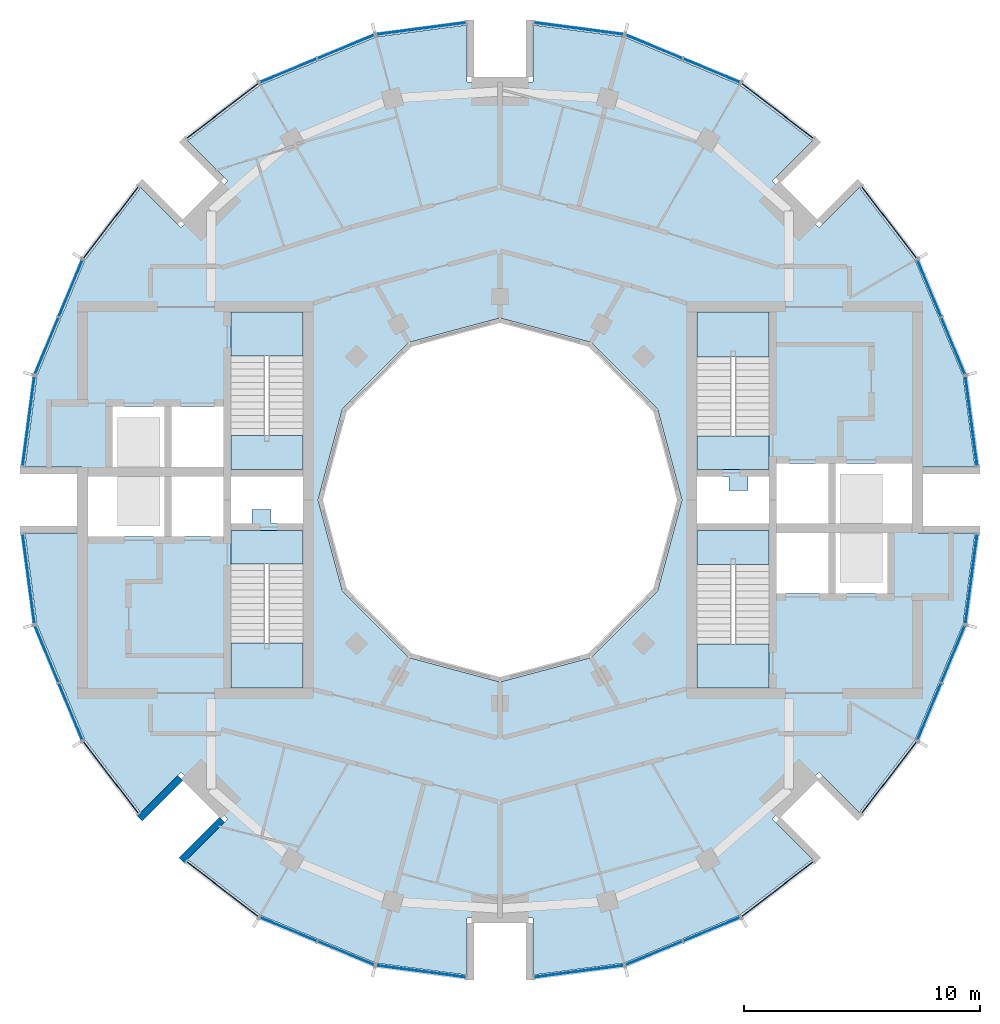
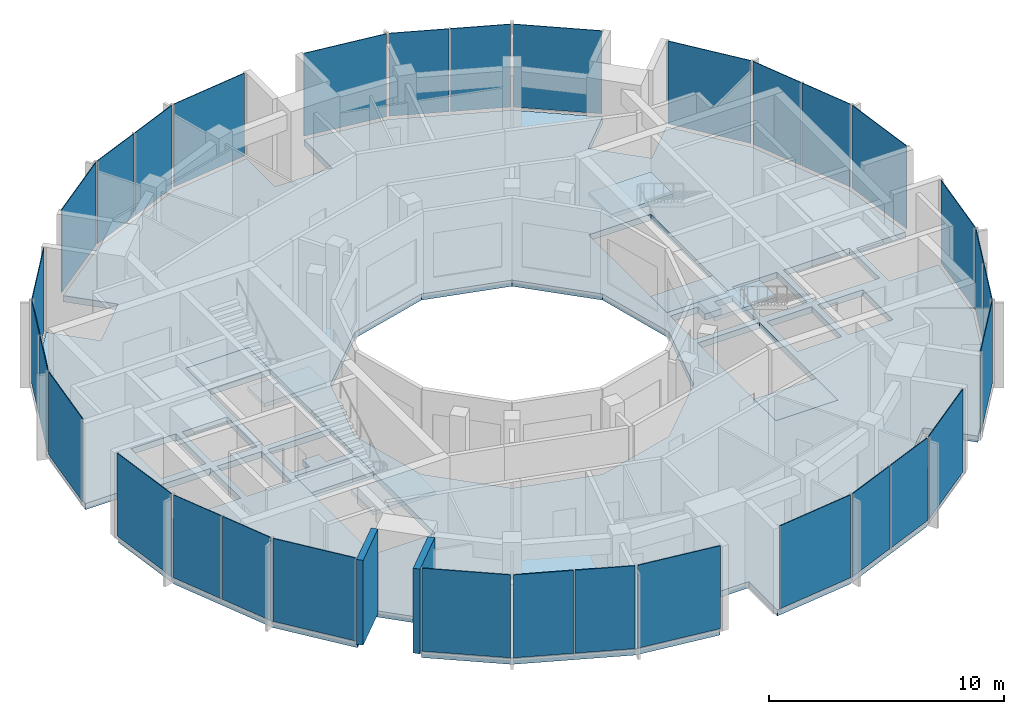
# One storey, part 6 of 13: 32 plates, 9 slabs, 2 walls, 28 elements without a shape of their own.
"""IFC4 building model written with IfcOpenShell, lengths in metres."""

from ifc_helpers import new_model, si_unit, direction, frame, frame_2d, origin, origin_2d, place, context, subcontext, project, spatial, polyline, rectangle, outline, extrude, material, layer, layer_set, type_object, element, aggregate, save


model = new_model("IFC4")

# Units and contexts
model_context = context("Model", 3, precision=1e-05, world=origin(), true_north=direction((0.0, 1.0)))
body_context = subcontext(model_context, "Body", "Model", "MODEL_VIEW")
ifc_project = project(units=[si_unit("LENGTHUNIT", "METRE"), si_unit("AREAUNIT", "SQUARE_METRE"), si_unit("VOLUMEUNIT", "CUBIC_METRE"), si_unit("PLANEANGLEUNIT", "RADIAN"), si_unit("MASSUNIT", "GRAM", prefix="KILO")], contexts=[model_context])

# Site, building, storey
site_placement = place(None, origin())
site = spatial("IfcSite", under=ifc_project, at=site_placement, CompositionType="ELEMENT")
building_placement = place(site_placement, origin())
building = spatial("IfcBuilding", under=site, at=building_placement, Name="Torre Brocal", CompositionType="ELEMENT")
storey_placement = place(building_placement, frame((0.0, 0.0, 319.300048828125)))
storey = spatial("IfcBuildingStorey", under=building, at=storey_placement, Name="L73", CompositionType="ELEMENT", Elevation=319.300048828125)

# Curtain wall, plate
ifc_material_1 = material(Name="Aluminium and glass", Category="aluminium")
ifc_layer_1 = layer(ifc_material_1, 0.199951171875)
ifc_layer_set_1 = layer_set([ifc_layer_1], Name="Aluminium and glass")
curtain_wall_type = type_object("IfcCurtainWallType", Name="CW-5 CURTAIN WALL 4400 HIGH", PredefinedType="NOTDEFINED", material=ifc_layer_set_1)
curtain_wall_1_placement = place(storey_placement, origin())
curtain_wall_1 = element("IfcCurtainWall", 1, at=curtain_wall_1_placement, inside=storey, type_object=curtain_wall_type, Name="CW-5 RUN 1", PredefinedType="NOTDEFINED")
ifc_material_2 = material(Name="Glass, dark tinted laminated", Category="glass")
ifc_layer_2 = layer(ifc_material_2, 0.035888671875)
ifc_layer_set_2 = layer_set([ifc_layer_2], Name="Glass, dark tinted laminated")
plate_type = type_object("IfcPlateType", Name="CW-5 GLASS PANEL 36", PredefinedType="CURTAIN_PANEL", material=ifc_layer_set_2)
plate_1_placement = place(storey_placement, frame((99.95947265625, 78.33984375, 0.10009765625), z_axis=(0.0, 0.0, 1.0), x_axis=(-0.130526192064, 0.991444861394, 0.0)))
plate_1 = element("IfcPlate", 2, at=plate_1_placement, type_object=plate_type, Name="CW5-1 panel 1.1", PredefinedType="CURTAIN_PANEL", context=body_context, shape_type="SweptSolid", body=[
    extrude(rectangle(XDim=3.793212890625, YDim=0.035888671875, at=origin_2d()), origin(), (0.0, 0.0, 1.0), 4.300048828125),
])
aggregate(curtain_wall_1, [plate_1])

# Curtain wall, plates
curtain_wall_2_placement = place(storey_placement, origin())
curtain_wall_2 = element("IfcCurtainWall", 3, at=curtain_wall_2_placement, inside=storey, type_object=curtain_wall_type, Name="CW-5 RUN 2", PredefinedType="NOTDEFINED")
plate_2_placement = place(storey_placement, frame((99.188720703125, 81.5234375, 0.10009765625), z_axis=(0.0, 0.0, 1.0), x_axis=(-0.382683432446, 0.923879532478, 0.0)))
plate_2 = element("IfcPlate", 4, at=plate_2_placement, type_object=plate_type, Name="CW5-1 panel 1.1", PredefinedType="CURTAIN_PANEL", context=body_context, shape_type="SweptSolid", body=[
    extrude(rectangle(XDim=2.572509765625, YDim=0.035888671875, at=origin_2d()), origin(), (0.0, 0.0, 1.0), 4.300048828125),
])
plate_3_placement = place(storey_placement, frame((98.181396484375, 83.955810546875, 0.10009765625), z_axis=(0.0, 0.0, 1.0), x_axis=(-0.382683432446, 0.923879532478, 0.0)))
plate_3 = element("IfcPlate", 5, at=plate_3_placement, type_object=plate_type, Name="CW5-1 panel 2.1", PredefinedType="CURTAIN_PANEL", context=body_context, shape_type="SweptSolid", body=[
    extrude(rectangle(XDim=2.572509765625, YDim=0.035888671875, at=origin_2d()), origin(), (0.0, 0.0, 1.0), 4.300048828125),
])
aggregate(curtain_wall_2, [plate_2, plate_3])

# Curtain wall, plate
curtain_wall_3_placement = place(storey_placement, origin())
curtain_wall_3 = element("IfcCurtainWall", 6, at=curtain_wall_3_placement, inside=storey, type_object=curtain_wall_type, Name="CW-5 RUN 3", PredefinedType="NOTDEFINED")
plate_4_placement = place(storey_placement, frame((96.47509765625, 86.751708984375, 0.10009765625), z_axis=(0.0, 0.0, 1.0), x_axis=(-0.608761428898, 0.793353340376, 0.0)))
plate_4 = element("IfcPlate", 7, at=plate_4_placement, type_object=plate_type, Name="CW5-1 panel 1.1", PredefinedType="CURTAIN_PANEL", context=body_context, shape_type="SweptSolid", body=[
    extrude(rectangle(XDim=3.793212890625, YDim=0.035888671875, at=origin_2d()), origin(), (0.0, 0.0, 1.0), 4.300048828125),
])
aggregate(curtain_wall_3, [plate_4])

curtain_wall_4_placement = place(storey_placement, origin())
curtain_wall_4 = element("IfcCurtainWall", 8, at=curtain_wall_4_placement, inside=storey, type_object=curtain_wall_type, Name="CW-5 RUN 4", PredefinedType="NOTDEFINED")
plate_5_placement = place(storey_placement, frame((91.751708984375, 91.47509765625, 0.10009765625), z_axis=(0.0, 0.0, 1.0), x_axis=(-0.793353340376, 0.608761428898, 0.0)))
plate_5 = element("IfcPlate", 9, at=plate_5_placement, type_object=plate_type, Name="CW5-1 panel 1.1", PredefinedType="CURTAIN_PANEL", context=body_context, shape_type="SweptSolid", body=[
    extrude(rectangle(XDim=3.793212890625, YDim=0.035888671875, at=origin_2d()), origin(), (0.0, 0.0, 1.0), 4.300048828125),
])
aggregate(curtain_wall_4, [plate_5])

# Curtain wall, plates
curtain_wall_5_placement = place(storey_placement, origin())
curtain_wall_5 = element("IfcCurtainWall", 10, at=curtain_wall_5_placement, inside=storey, type_object=curtain_wall_type, Name="CW-5 RUN 5", PredefinedType="NOTDEFINED")
plate_6_placement = place(storey_placement, frame((88.955810546875, 93.181396484375, 0.10009765625), z_axis=(0.0, 0.0, 1.0), x_axis=(-0.923879532478, 0.382683432446, 0.0)))
plate_6 = element("IfcPlate", 11, at=plate_6_placement, type_object=plate_type, Name="CW5-1 panel 1.1", PredefinedType="CURTAIN_PANEL", context=body_context, shape_type="SweptSolid", body=[
    extrude(rectangle(XDim=2.572509765625, YDim=0.035888671875, at=origin_2d()), origin(), (0.0, 0.0, 1.0), 4.300048828125),
])
plate_7_placement = place(storey_placement, frame((86.5234375, 94.188720703125, 0.10009765625), z_axis=(0.0, 0.0, 1.0), x_axis=(-0.923879532478, 0.382683432446, 0.0)))
plate_7 = element("IfcPlate", 12, at=plate_7_placement, type_object=plate_type, Name="CW5-1 panel 2.1", PredefinedType="CURTAIN_PANEL", context=body_context, shape_type="SweptSolid", body=[
    extrude(rectangle(XDim=2.572509765625, YDim=0.035888671875, at=origin_2d()), origin(), (0.0, 0.0, 1.0), 4.300048828125),
])
aggregate(curtain_wall_5, [plate_6, plate_7])

# Curtain wall, plate
curtain_wall_6_placement = place(storey_placement, origin())
curtain_wall_6 = element("IfcCurtainWall", 13, at=curtain_wall_6_placement, inside=storey, type_object=curtain_wall_type, Name="CW-5 RUN 6", PredefinedType="NOTDEFINED")
plate_8_placement = place(storey_placement, frame((83.33984375, 94.95947265625, 0.10009765625), z_axis=(0.0, 0.0, 1.0), x_axis=(-0.991444861394, 0.130526192064, 0.0)))
plate_8 = element("IfcPlate", 14, at=plate_8_placement, type_object=plate_type, Name="CW5-1 panel 1.1", PredefinedType="CURTAIN_PANEL", context=body_context, shape_type="SweptSolid", body=[
    extrude(rectangle(XDim=3.793212890625, YDim=0.035888671875, at=origin_2d()), origin(), (0.0, 0.0, 1.0), 4.300048828125),
])
aggregate(curtain_wall_6, [plate_8])

curtain_wall_7_placement = place(storey_placement, origin())
curtain_wall_7 = element("IfcCurtainWall", 15, at=curtain_wall_7_placement, inside=storey, type_object=curtain_wall_type, Name="CW-5 RUN 7", PredefinedType="NOTDEFINED")
plate_9_placement = place(storey_placement, frame((76.66015625, 94.95947265625, 0.10009765625), z_axis=(0.0, 0.0, 1.0), x_axis=(-0.991444861394, -0.130526192064, 0.0)))
plate_9 = element("IfcPlate", 16, at=plate_9_placement, type_object=plate_type, Name="CW5-1 panel 1.1", PredefinedType="CURTAIN_PANEL", context=body_context, shape_type="SweptSolid", body=[
    extrude(rectangle(XDim=3.793212890625, YDim=0.035888671875, at=origin_2d()), origin(), (0.0, 0.0, 1.0), 4.300048828125),
])
aggregate(curtain_wall_7, [plate_9])

# Curtain wall, plates
curtain_wall_8_placement = place(storey_placement, origin())
curtain_wall_8 = element("IfcCurtainWall", 17, at=curtain_wall_8_placement, inside=storey, type_object=curtain_wall_type, Name="CW-5 RUN 8", PredefinedType="NOTDEFINED")
plate_10_placement = place(storey_placement, frame((73.4765625, 94.188720703125, 0.10009765625), z_axis=(0.0, 0.0, 1.0), x_axis=(-0.923879532478, -0.382683432446, 0.0)))
plate_10 = element("IfcPlate", 18, at=plate_10_placement, type_object=plate_type, Name="CW5-1 panel 1.1", PredefinedType="CURTAIN_PANEL", context=body_context, shape_type="SweptSolid", body=[
    extrude(rectangle(XDim=2.572509765625, YDim=0.035888671875, at=origin_2d()), origin(), (0.0, 0.0, 1.0), 4.300048828125),
])
plate_11_placement = place(storey_placement, frame((71.044189453125, 93.181396484375, 0.10009765625), z_axis=(0.0, 0.0, 1.0), x_axis=(-0.923879532478, -0.382683432446, 0.0)))
plate_11 = element("IfcPlate", 19, at=plate_11_placement, type_object=plate_type, Name="CW5-1 panel 2.1", PredefinedType="CURTAIN_PANEL", context=body_context, shape_type="SweptSolid", body=[
    extrude(rectangle(XDim=2.572509765625, YDim=0.035888671875, at=origin_2d()), origin(), (0.0, 0.0, 1.0), 4.300048828125),
])
aggregate(curtain_wall_8, [plate_10, plate_11])

# Curtain wall, plate
curtain_wall_9_placement = place(storey_placement, origin())
curtain_wall_9 = element("IfcCurtainWall", 20, at=curtain_wall_9_placement, inside=storey, type_object=curtain_wall_type, Name="CW-5 RUN 9", PredefinedType="NOTDEFINED")
plate_12_placement = place(storey_placement, frame((68.248291015625, 91.47509765625, 0.10009765625), z_axis=(0.0, 0.0, 1.0), x_axis=(-0.793353340376, -0.608761428898, 0.0)))
plate_12 = element("IfcPlate", 21, at=plate_12_placement, type_object=plate_type, Name="CW5-1 panel 1.1", PredefinedType="CURTAIN_PANEL", context=body_context, shape_type="SweptSolid", body=[
    extrude(rectangle(XDim=3.793212890625, YDim=0.035888671875, at=origin_2d()), origin(), (0.0, 0.0, 1.0), 4.300048828125),
])
aggregate(curtain_wall_9, [plate_12])

curtain_wall_10_placement = place(storey_placement, origin())
curtain_wall_10 = element("IfcCurtainWall", 22, at=curtain_wall_10_placement, inside=storey, type_object=curtain_wall_type, Name="CW-5 RUN 10", PredefinedType="NOTDEFINED")
plate_13_placement = place(storey_placement, frame((63.52490234375, 86.751708984375, 0.10009765625), z_axis=(0.0, 0.0, 1.0), x_axis=(-0.608761428898, -0.793353340376, 0.0)))
plate_13 = element("IfcPlate", 23, at=plate_13_placement, type_object=plate_type, Name="CW5-1 panel 1.1", PredefinedType="CURTAIN_PANEL", context=body_context, shape_type="SweptSolid", body=[
    extrude(rectangle(XDim=3.793212890625, YDim=0.035888671875, at=origin_2d()), origin(), (0.0, 0.0, 1.0), 4.300048828125),
])
aggregate(curtain_wall_10, [plate_13])

# Curtain wall, plates
curtain_wall_11_placement = place(storey_placement, origin())
curtain_wall_11 = element("IfcCurtainWall", 24, at=curtain_wall_11_placement, inside=storey, type_object=curtain_wall_type, Name="CW-5 RUN 11", PredefinedType="NOTDEFINED")
plate_14_placement = place(storey_placement, frame((61.818603515625, 83.955810546875, 0.10009765625), z_axis=(0.0, 0.0, 1.0), x_axis=(-0.382683432446, -0.923879532478, 0.0)))
plate_14 = element("IfcPlate", 25, at=plate_14_placement, type_object=plate_type, Name="CW5-1 panel 1.1", PredefinedType="CURTAIN_PANEL", context=body_context, shape_type="SweptSolid", body=[
    extrude(rectangle(XDim=2.572509765625, YDim=0.035888671875, at=origin_2d()), origin(), (0.0, 0.0, 1.0), 4.300048828125),
])
plate_15_placement = place(storey_placement, frame((60.811279296875, 81.5234375, 0.10009765625), z_axis=(0.0, 0.0, 1.0), x_axis=(-0.382683432446, -0.923879532478, 0.0)))
plate_15 = element("IfcPlate", 26, at=plate_15_placement, type_object=plate_type, Name="CW5-1 panel 2.1", PredefinedType="CURTAIN_PANEL", context=body_context, shape_type="SweptSolid", body=[
    extrude(rectangle(XDim=2.572509765625, YDim=0.035888671875, at=origin_2d()), origin(), (0.0, 0.0, 1.0), 4.300048828125),
])
aggregate(curtain_wall_11, [plate_14, plate_15])

# Curtain wall, plate
curtain_wall_12_placement = place(storey_placement, origin())
curtain_wall_12 = element("IfcCurtainWall", 27, at=curtain_wall_12_placement, inside=storey, type_object=curtain_wall_type, Name="CW-5 RUN 12", PredefinedType="NOTDEFINED")
plate_16_placement = place(storey_placement, frame((60.04052734375, 78.33984375, 0.10009765625), z_axis=(0.0, 0.0, 1.0), x_axis=(-0.130526192064, -0.991444861394, 0.0)))
plate_16 = element("IfcPlate", 28, at=plate_16_placement, type_object=plate_type, Name="CW5-1 panel 1.1", PredefinedType="CURTAIN_PANEL", context=body_context, shape_type="SweptSolid", body=[
    extrude(rectangle(XDim=3.793212890625, YDim=0.035888671875, at=origin_2d()), origin(), (0.0, 0.0, 1.0), 4.300048828125),
])
aggregate(curtain_wall_12, [plate_16])

curtain_wall_13_placement = place(storey_placement, origin())
curtain_wall_13 = element("IfcCurtainWall", 29, at=curtain_wall_13_placement, inside=storey, type_object=curtain_wall_type, Name="CW-5 RUN 13", PredefinedType="NOTDEFINED")
plate_17_placement = place(storey_placement, frame((60.04052734375, 71.66015625, 0.10009765625), z_axis=(0.0, 0.0, 1.0), x_axis=(0.130526192064, -0.991444861394, 0.0)))
plate_17 = element("IfcPlate", 30, at=plate_17_placement, type_object=plate_type, Name="CW5-1 panel 1.1", PredefinedType="CURTAIN_PANEL", context=body_context, shape_type="SweptSolid", body=[
    extrude(rectangle(XDim=3.793212890625, YDim=0.035888671875, at=origin_2d()), origin(), (0.0, 0.0, 1.0), 4.300048828125),
])
aggregate(curtain_wall_13, [plate_17])

# Curtain wall, plates
curtain_wall_14_placement = place(storey_placement, origin())
curtain_wall_14 = element("IfcCurtainWall", 31, at=curtain_wall_14_placement, inside=storey, type_object=curtain_wall_type, Name="CW-5 RUN 14", PredefinedType="NOTDEFINED")
plate_18_placement = place(storey_placement, frame((60.811279296875, 68.4765625, 0.10009765625), z_axis=(0.0, 0.0, 1.0), x_axis=(0.382683432446, -0.923879532478, 0.0)))
plate_18 = element("IfcPlate", 32, at=plate_18_placement, type_object=plate_type, Name="CW5-1 panel 1.1", PredefinedType="CURTAIN_PANEL", context=body_context, shape_type="SweptSolid", body=[
    extrude(rectangle(XDim=2.572509765625, YDim=0.035888671875, at=origin_2d()), origin(), (0.0, 0.0, 1.0), 4.300048828125),
])
plate_19_placement = place(storey_placement, frame((61.818603515625, 66.044189453125, 0.10009765625), z_axis=(0.0, 0.0, 1.0), x_axis=(0.382683432446, -0.923879532478, 0.0)))
plate_19 = element("IfcPlate", 33, at=plate_19_placement, type_object=plate_type, Name="CW5-1 panel 2.1", PredefinedType="CURTAIN_PANEL", context=body_context, shape_type="SweptSolid", body=[
    extrude(rectangle(XDim=2.572509765625, YDim=0.035888671875, at=origin_2d()), origin(), (0.0, 0.0, 1.0), 4.300048828125),
])
aggregate(curtain_wall_14, [plate_18, plate_19])

# Curtain wall, plate
curtain_wall_15_placement = place(storey_placement, origin())
curtain_wall_15 = element("IfcCurtainWall", 34, at=curtain_wall_15_placement, inside=storey, type_object=curtain_wall_type, Name="CW-5 RUN 15", PredefinedType="NOTDEFINED")
plate_20_placement = place(storey_placement, frame((63.52490234375, 63.248291015625, 0.10009765625), z_axis=(0.0, 0.0, 1.0), x_axis=(0.608761428898, -0.793353340376, 0.0)))
plate_20 = element("IfcPlate", 35, at=plate_20_placement, type_object=plate_type, Name="CW5-1 panel 1.1", PredefinedType="CURTAIN_PANEL", context=body_context, shape_type="SweptSolid", body=[
    extrude(rectangle(XDim=3.793212890625, YDim=0.035888671875, at=origin_2d()), origin(), (0.0, 0.0, 1.0), 4.300048828125),
])
aggregate(curtain_wall_15, [plate_20])

curtain_wall_16_placement = place(storey_placement, origin())
curtain_wall_16 = element("IfcCurtainWall", 36, at=curtain_wall_16_placement, inside=storey, type_object=curtain_wall_type, Name="CW-5 RUN 16", PredefinedType="NOTDEFINED")
plate_21_placement = place(storey_placement, frame((68.248291015625, 58.52490234375, 0.10009765625), z_axis=(0.0, 0.0, 1.0), x_axis=(0.793353340376, -0.608761428898, 0.0)))
plate_21 = element("IfcPlate", 37, at=plate_21_placement, type_object=plate_type, Name="CW5-1 panel 1.1", PredefinedType="CURTAIN_PANEL", context=body_context, shape_type="SweptSolid", body=[
    extrude(rectangle(XDim=3.793212890625, YDim=0.035888671875, at=origin_2d()), origin(), (0.0, 0.0, 1.0), 4.300048828125),
])
aggregate(curtain_wall_16, [plate_21])

# Curtain wall, plates
curtain_wall_17_placement = place(storey_placement, origin())
curtain_wall_17 = element("IfcCurtainWall", 38, at=curtain_wall_17_placement, inside=storey, type_object=curtain_wall_type, Name="CW-5 RUN 17", PredefinedType="NOTDEFINED")
plate_22_placement = place(storey_placement, frame((71.044189453125, 56.818603515625, 0.10009765625), z_axis=(0.0, 0.0, 1.0), x_axis=(0.923879532478, -0.382683432446, 0.0)))
plate_22 = element("IfcPlate", 39, at=plate_22_placement, type_object=plate_type, Name="CW5-1 panel 1.1", PredefinedType="CURTAIN_PANEL", context=body_context, shape_type="SweptSolid", body=[
    extrude(rectangle(XDim=2.572509765625, YDim=0.035888671875, at=origin_2d()), origin(), (0.0, 0.0, 1.0), 4.300048828125),
])
plate_23_placement = place(storey_placement, frame((73.4765625, 55.811279296875, 0.10009765625), z_axis=(0.0, 0.0, 1.0), x_axis=(0.923879532478, -0.382683432446, 0.0)))
plate_23 = element("IfcPlate", 40, at=plate_23_placement, type_object=plate_type, Name="CW5-1 panel 2.1", PredefinedType="CURTAIN_PANEL", context=body_context, shape_type="SweptSolid", body=[
    extrude(rectangle(XDim=2.572509765625, YDim=0.035888671875, at=origin_2d()), origin(), (0.0, 0.0, 1.0), 4.300048828125),
])
aggregate(curtain_wall_17, [plate_22, plate_23])

# Curtain wall, plate
curtain_wall_18_placement = place(storey_placement, origin())
curtain_wall_18 = element("IfcCurtainWall", 41, at=curtain_wall_18_placement, inside=storey, type_object=curtain_wall_type, Name="CW-5 RUN 18", PredefinedType="NOTDEFINED")
plate_24_placement = place(storey_placement, frame((76.66015625, 55.04052734375, 0.10009765625), z_axis=(0.0, 0.0, 1.0), x_axis=(0.991444861394, -0.130526192064, 0.0)))
plate_24 = element("IfcPlate", 42, at=plate_24_placement, type_object=plate_type, Name="CW5-1 panel 1.1", PredefinedType="CURTAIN_PANEL", context=body_context, shape_type="SweptSolid", body=[
    extrude(rectangle(XDim=3.793212890625, YDim=0.035888671875, at=origin_2d()), origin(), (0.0, 0.0, 1.0), 4.300048828125),
])
aggregate(curtain_wall_18, [plate_24])

curtain_wall_19_placement = place(storey_placement, origin())
curtain_wall_19 = element("IfcCurtainWall", 43, at=curtain_wall_19_placement, inside=storey, type_object=curtain_wall_type, Name="CW-5 RUN 19", PredefinedType="NOTDEFINED")
plate_25_placement = place(storey_placement, frame((83.33984375, 55.04052734375, 0.10009765625), z_axis=(0.0, 0.0, 1.0), x_axis=(0.991444861394, 0.130526192064, 0.0)))
plate_25 = element("IfcPlate", 44, at=plate_25_placement, type_object=plate_type, Name="CW5-1 panel 1.1", PredefinedType="CURTAIN_PANEL", context=body_context, shape_type="SweptSolid", body=[
    extrude(rectangle(XDim=3.793212890625, YDim=0.035888671875, at=origin_2d()), origin(), (0.0, 0.0, 1.0), 4.300048828125),
])
aggregate(curtain_wall_19, [plate_25])

# Curtain wall, plates
curtain_wall_20_placement = place(storey_placement, origin())
curtain_wall_20 = element("IfcCurtainWall", 45, at=curtain_wall_20_placement, inside=storey, type_object=curtain_wall_type, Name="CW-5 RUN 20", PredefinedType="NOTDEFINED")
plate_26_placement = place(storey_placement, frame((86.5234375, 55.811279296875, 0.10009765625), z_axis=(0.0, 0.0, 1.0), x_axis=(0.923879532478, 0.382683432446, 0.0)))
plate_26 = element("IfcPlate", 46, at=plate_26_placement, type_object=plate_type, Name="CW5-1 panel 1.1", PredefinedType="CURTAIN_PANEL", context=body_context, shape_type="SweptSolid", body=[
    extrude(rectangle(XDim=2.572509765625, YDim=0.035888671875, at=origin_2d()), origin(), (0.0, 0.0, 1.0), 4.300048828125),
])
plate_27_placement = place(storey_placement, frame((88.955810546875, 56.818603515625, 0.10009765625), z_axis=(0.0, 0.0, 1.0), x_axis=(0.923879532478, 0.382683432446, 0.0)))
plate_27 = element("IfcPlate", 47, at=plate_27_placement, type_object=plate_type, Name="CW5-1 panel 2.1", PredefinedType="CURTAIN_PANEL", context=body_context, shape_type="SweptSolid", body=[
    extrude(rectangle(XDim=2.572509765625, YDim=0.035888671875, at=origin_2d()), origin(), (0.0, 0.0, 1.0), 4.300048828125),
])
aggregate(curtain_wall_20, [plate_26, plate_27])

# Curtain wall, plate
curtain_wall_21_placement = place(storey_placement, origin())
curtain_wall_21 = element("IfcCurtainWall", 48, at=curtain_wall_21_placement, inside=storey, type_object=curtain_wall_type, Name="CW-5 RUN 21", PredefinedType="NOTDEFINED")
plate_28_placement = place(storey_placement, frame((91.751708984375, 58.52490234375, 0.10009765625), z_axis=(0.0, 0.0, 1.0), x_axis=(0.793353340376, 0.608761428898, 0.0)))
plate_28 = element("IfcPlate", 49, at=plate_28_placement, type_object=plate_type, Name="CW5-1 panel 1.1", PredefinedType="CURTAIN_PANEL", context=body_context, shape_type="SweptSolid", body=[
    extrude(rectangle(XDim=3.793212890625, YDim=0.035888671875, at=origin_2d()), origin(), (0.0, 0.0, 1.0), 4.300048828125),
])
aggregate(curtain_wall_21, [plate_28])

curtain_wall_22_placement = place(storey_placement, origin())
curtain_wall_22 = element("IfcCurtainWall", 50, at=curtain_wall_22_placement, inside=storey, type_object=curtain_wall_type, Name="CW-5 RUN 22", PredefinedType="NOTDEFINED")
plate_29_placement = place(storey_placement, frame((96.47509765625, 63.248291015625, 0.10009765625), z_axis=(0.0, 0.0, 1.0), x_axis=(0.608761428898, 0.793353340376, 0.0)))
plate_29 = element("IfcPlate", 51, at=plate_29_placement, type_object=plate_type, Name="CW5-1 panel 1.1", PredefinedType="CURTAIN_PANEL", context=body_context, shape_type="SweptSolid", body=[
    extrude(rectangle(XDim=3.793212890625, YDim=0.035888671875, at=origin_2d()), origin(), (0.0, 0.0, 1.0), 4.300048828125),
])
aggregate(curtain_wall_22, [plate_29])

# Curtain wall, plates
curtain_wall_23_placement = place(storey_placement, origin())
curtain_wall_23 = element("IfcCurtainWall", 52, at=curtain_wall_23_placement, inside=storey, type_object=curtain_wall_type, Name="CW-5 RUN 23", PredefinedType="NOTDEFINED")
plate_30_placement = place(storey_placement, frame((98.181396484375, 66.044189453125, 0.10009765625), z_axis=(0.0, 0.0, 1.0), x_axis=(0.382683432446, 0.923879532478, 0.0)))
plate_30 = element("IfcPlate", 53, at=plate_30_placement, type_object=plate_type, Name="CW5-1 panel 1.1", PredefinedType="CURTAIN_PANEL", context=body_context, shape_type="SweptSolid", body=[
    extrude(rectangle(XDim=2.572509765625, YDim=0.035888671875, at=origin_2d()), origin(), (0.0, 0.0, 1.0), 4.300048828125),
])
plate_31_placement = place(storey_placement, frame((99.188720703125, 68.4765625, 0.10009765625), z_axis=(0.0, 0.0, 1.0), x_axis=(0.382683432446, 0.923879532478, 0.0)))
plate_31 = element("IfcPlate", 54, at=plate_31_placement, type_object=plate_type, Name="CW5-1 panel 2.1", PredefinedType="CURTAIN_PANEL", context=body_context, shape_type="SweptSolid", body=[
    extrude(rectangle(XDim=2.572509765625, YDim=0.035888671875, at=origin_2d()), origin(), (0.0, 0.0, 1.0), 4.300048828125),
])
aggregate(curtain_wall_23, [plate_30, plate_31])

# Curtain wall, plate
curtain_wall_24_placement = place(storey_placement, origin())
curtain_wall_24 = element("IfcCurtainWall", 55, at=curtain_wall_24_placement, inside=storey, type_object=curtain_wall_type, Name="CW-5 RUN 24", PredefinedType="NOTDEFINED")
plate_32_placement = place(storey_placement, frame((99.95947265625, 71.66015625, 0.10009765625), z_axis=(0.0, 0.0, 1.0), x_axis=(0.130526192064, 0.991444861394, 0.0)))
plate_32 = element("IfcPlate", 56, at=plate_32_placement, type_object=plate_type, Name="CW5-1 panel 1.1", PredefinedType="CURTAIN_PANEL", context=body_context, shape_type="SweptSolid", body=[
    extrude(rectangle(XDim=3.793212890625, YDim=0.035888671875, at=origin_2d()), origin(), (0.0, 0.0, 1.0), 4.300048828125),
])
aggregate(curtain_wall_24, [plate_32])

# Stair, slab
ifc_material_3 = material(Name="Concrete C50", Category="concrete")
stair_type = type_object("IfcStairType", Name="EXIT STAIR", PredefinedType="HALF_TURN_STAIR", material=ifc_material_3)
stair_1_placement = place(storey_placement, origin())
stair_1 = element("IfcStair", 57, at=stair_1_placement, inside=storey, type_object=stair_type, Name="EXIT STAIR ST1", PredefinedType="HALF_TURN_STAIR")
ifc_material_4 = material(Name="Concrete C50", Category="concrete")
ifc_layer_3 = layer(ifc_material_4, 0.320068359375)
ifc_layer_set_3 = layer_set([ifc_layer_3], Name="Concrete C50")
slab_type_1 = type_object("IfcSlabType", Name="FLOOR LANDING 320", PredefinedType="LANDING", material=ifc_layer_set_3)
slab_1_placement = place(storey_placement, frame((0.0, 0.0, -0.320068359375)))
slab_1 = element("IfcSlab", 58, at=slab_1_placement, type_object=slab_type_1, Name="ST1 landing 1", PredefinedType="LANDING", context=body_context, shape_type="SweptSolid", body=[
    extrude(outline(polyline([(88.35009765625, 76.300048828125), (91.39990234375, 76.300048828125), (91.39990234375, 77.699951171875), (88.35009765625, 77.699951171875), (88.35009765625, 76.300048828125)])), origin(), (0.0, 0.0, 1.0), 0.320068359375),
])

stair_2_placement = place(storey_placement, origin())
stair_2 = element("IfcStair", 59, at=stair_2_placement, inside=storey, type_object=stair_type, Name="EXIT STAIR ST2", PredefinedType="HALF_TURN_STAIR")
slab_2_placement = place(storey_placement, frame((0.0, 0.0, -0.320068359375)))
slab_2 = element("IfcSlab", 60, at=slab_2_placement, type_object=slab_type_1, Name="ST2 landing 1", PredefinedType="LANDING", context=body_context, shape_type="SweptSolid", body=[
    extrude(outline(polyline([(88.35009765625, 67.050048828125), (91.39990234375, 67.050048828125), (91.39990234375, 68.89990234375), (88.35009765625, 68.89990234375), (88.35009765625, 67.050048828125)])), origin(), (0.0, 0.0, 1.0), 0.320068359375),
])

stair_3_placement = place(storey_placement, origin())
stair_3 = element("IfcStair", 61, at=stair_3_placement, inside=storey, type_object=stair_type, Name="EXIT STAIR ST3", PredefinedType="HALF_TURN_STAIR")
slab_3_placement = place(storey_placement, frame((0.0, 0.0, -0.320068359375)))
slab_3 = element("IfcSlab", 62, at=slab_3_placement, type_object=slab_type_1, Name="ST3 landing 1", PredefinedType="LANDING", context=body_context, shape_type="SweptSolid", body=[
    extrude(outline(polyline([(71.64990234375, 73.699951171875), (68.60009765625, 73.699951171875), (68.60009765625, 72.300048828125), (71.64990234375, 72.300048828125), (71.64990234375, 73.699951171875)])), origin(), (0.0, 0.0, 1.0), 0.320068359375),
])

stair_4_placement = place(storey_placement, origin())
stair_4 = element("IfcStair", 63, at=stair_4_placement, inside=storey, type_object=stair_type, Name="EXIT STAIR ST4", PredefinedType="HALF_TURN_STAIR")
slab_4_placement = place(storey_placement, frame((0.0, 0.0, -0.320068359375)))
slab_4 = element("IfcSlab", 64, at=slab_4_placement, type_object=slab_type_1, Name="ST4 landing 1", PredefinedType="LANDING", context=body_context, shape_type="SweptSolid", body=[
    extrude(outline(polyline([(71.64990234375, 82.949951171875), (68.60009765625, 82.949951171875), (68.60009765625, 81.10009765625), (71.64990234375, 81.10009765625), (71.64990234375, 82.949951171875)])), origin(), (0.0, 0.0, 1.0), 0.320068359375),
])

# Slab
ifc_material_5 = material(Name="Concrete C50", Category="concrete")
ifc_layer_4 = layer(ifc_material_5, 0.199951171875)
ifc_layer_set_4 = layer_set([ifc_layer_4], Name="Concrete C50")
slab_type_2 = type_object("IfcSlabType", Name="MID LANDING +2200", PredefinedType="LANDING", material=ifc_layer_set_4)
slab_5_placement = place(storey_placement, frame((0.0, 0.0, 2.0)))
slab_5 = element("IfcSlab", 65, at=slab_5_placement, type_object=slab_type_2, Name="ST1 landing 2", PredefinedType="LANDING", context=body_context, shape_type="SweptSolid", body=[
    extrude(outline(polyline([(88.35009765625, 81.06005859375), (91.39990234375, 81.06005859375), (91.39990234375, 82.949951171875), (88.35009765625, 82.949951171875), (88.35009765625, 81.06005859375)])), origin(), (0.0, 0.0, 1.0), 0.199951171875),
])

aggregate(stair_1, [slab_1, slab_5])

slab_6_placement = place(storey_placement, frame((0.0, 0.0, 2.0)))
slab_6 = element("IfcSlab", 66, at=slab_6_placement, type_object=slab_type_2, Name="ST2 landing 2", PredefinedType="LANDING", context=body_context, shape_type="SweptSolid", body=[
    extrude(outline(polyline([(88.35009765625, 72.260009765625), (91.39990234375, 72.260009765625), (91.39990234375, 73.699951171875), (88.35009765625, 73.699951171875), (88.35009765625, 72.260009765625)])), origin(), (0.0, 0.0, 1.0), 0.199951171875),
])

aggregate(stair_2, [slab_2, slab_6])

slab_7_placement = place(storey_placement, frame((0.0, 0.0, 2.0)))
slab_7 = element("IfcSlab", 67, at=slab_7_placement, type_object=slab_type_2, Name="ST3 landing 2", PredefinedType="LANDING", context=body_context, shape_type="SweptSolid", body=[
    extrude(outline(polyline([(71.64990234375, 68.93994140625), (68.60009765625, 68.93994140625), (68.60009765625, 67.050048828125), (71.64990234375, 67.050048828125), (71.64990234375, 68.93994140625)])), origin(), (0.0, 0.0, 1.0), 0.199951171875),
])

aggregate(stair_3, [slab_3, slab_7])

slab_8_placement = place(storey_placement, frame((0.0, 0.0, 2.0)))
slab_8 = element("IfcSlab", 68, at=slab_8_placement, type_object=slab_type_2, Name="ST4 landing 2", PredefinedType="LANDING", context=body_context, shape_type="SweptSolid", body=[
    extrude(outline(polyline([(71.64990234375, 77.739990234375), (68.60009765625, 77.739990234375), (68.60009765625, 76.300048828125), (71.64990234375, 76.300048828125), (71.64990234375, 77.739990234375)])), origin(), (0.0, 0.0, 1.0), 0.199951171875),
])

aggregate(stair_4, [slab_4, slab_8])

ifc_material_6 = material(Name="Concrete C45", Category="concrete")
ifc_layer_5 = layer(ifc_material_6, 0.320068359375)
ifc_layer_set_5 = layer_set([ifc_layer_5], Name="Concrete C45")
slab_type_3 = type_object("IfcSlabType", Name="PT FLOOR SLAB 320 C45", PredefinedType="FLOOR", material=ifc_layer_set_5)
slab_9_placement = place(storey_placement, frame((0.0, 0.0, -0.320068359375)))
element("IfcSlab", 69, at=slab_9_placement, inside=storey, type_object=slab_type_3, Name="Slab ST-05", PredefinedType="FLOOR", context=body_context, shape_type="SweptSolid", body=[
    extrude(outline(polyline([(97.699951171875, 76.39990234375), (97.699951171875, 73.60009765625), (100.114013671875, 73.60009765625), (99.606689453125, 69.746337890625), (97.578857421875, 64.850830078125), (95.212646484375, 61.767333984375), (93.505859375, 63.47412109375), (91.52587890625, 61.494140625), (93.232666015625, 59.787353515625), (90.149169921875, 57.421142578125), (85.253662109375, 55.393310546875), (81.39990234375, 54.885986328125), (81.39990234375, 57.300048828125), (78.60009765625, 57.300048828125), (78.60009765625, 54.885986328125), (74.746337890625, 55.393310546875), (69.850830078125, 57.421142578125), (66.767333984375, 59.787353515625), (68.47412109375, 61.494140625), (66.494140625, 63.47412109375), (64.787353515625, 61.767333984375), (62.421142578125, 64.850830078125), (60.393310546875, 69.746337890625), (59.885986328125, 73.60009765625), (62.300048828125, 73.60009765625), (62.300048828125, 76.39990234375), (59.885986328125, 76.39990234375), (60.393310546875, 80.253662109375), (62.421142578125, 85.149169921875), (64.787353515625, 88.232666015625), (66.494140625, 86.52587890625), (68.47412109375, 88.505859375), (66.767333984375, 90.212646484375), (69.850830078125, 92.578857421875), (74.746337890625, 94.606689453125), (78.60009765625, 95.114013671875), (78.60009765625, 92.699951171875), (81.39990234375, 92.699951171875), (81.39990234375, 95.114013671875), (85.253662109375, 94.606689453125), (90.149169921875, 92.578857421875), (93.232666015625, 90.212646484375), (91.52587890625, 88.505859375), (93.505859375, 86.52587890625), (95.212646484375, 88.232666015625), (97.578857421875, 85.149169921875), (99.606689453125, 80.253662109375), (100.114013671875, 76.39990234375), (97.699951171875, 76.39990234375)]), holes=[polyline([(97.449951171875, 76.550048828125), (94.199951171875, 76.550048828125), (94.199951171875, 74.0), (97.449951171875, 74.0), (97.449951171875, 76.550048828125)]), polyline([(96.39990234375, 73.60009765625), (94.199951171875, 73.60009765625), (94.199951171875, 71.050048828125), (96.39990234375, 71.050048828125), (96.39990234375, 73.60009765625)]), polyline([(93.89990234375, 73.60009765625), (91.699951171875, 73.60009765625), (91.699951171875, 71.050048828125), (93.89990234375, 71.050048828125), (93.89990234375, 73.60009765625)]), polyline([(93.89990234375, 76.550048828125), (91.699951171875, 76.550048828125), (91.699951171875, 74.0), (93.89990234375, 74.0), (93.89990234375, 76.550048828125)]), polyline([(89.699951171875, 76.0), (88.35009765625, 76.0), (88.35009765625, 74.0), (91.39990234375, 74.0), (91.39990234375, 76.0), (90.5, 76.0), (90.5, 75.39990234375), (89.699951171875, 75.39990234375), (89.699951171875, 76.0)]), polyline([(88.35009765625, 73.699951171875), (88.35009765625, 67.050048828125), (91.39990234375, 67.050048828125), (91.39990234375, 73.699951171875), (88.35009765625, 73.699951171875)]), polyline([(91.39990234375, 82.949951171875), (88.35009765625, 82.949951171875), (88.35009765625, 76.300048828125), (91.39990234375, 76.300048828125), (91.39990234375, 82.949951171875)]), polyline([(80.0, 82.70703125), (76.146484375, 81.674560546875), (73.325439453125, 78.853515625), (72.29296875, 75.0), (73.325439453125, 71.146484375), (76.146484375, 68.325439453125), (80.0, 67.29296875), (83.853515625, 68.325439453125), (86.674560546875, 71.146484375), (87.70703125, 75.0), (86.674560546875, 78.853515625), (83.853515625, 81.674560546875), (80.0, 82.70703125)]), polyline([(71.64990234375, 67.050048828125), (71.64990234375, 73.699951171875), (68.60009765625, 73.699951171875), (68.60009765625, 67.050048828125), (71.64990234375, 67.050048828125)]), polyline([(68.60009765625, 76.300048828125), (71.64990234375, 76.300048828125), (71.64990234375, 82.949951171875), (68.60009765625, 82.949951171875), (68.60009765625, 76.300048828125)]), polyline([(70.300048828125, 74.0), (71.64990234375, 74.0), (71.64990234375, 76.0), (68.60009765625, 76.0), (68.60009765625, 74.0), (69.5, 74.0), (69.5, 74.60009765625), (70.300048828125, 74.60009765625), (70.300048828125, 74.0)]), polyline([(66.10009765625, 73.449951171875), (68.300048828125, 73.449951171875), (68.300048828125, 76.0), (66.10009765625, 76.0), (66.10009765625, 73.449951171875)]), polyline([(66.10009765625, 76.39990234375), (68.300048828125, 76.39990234375), (68.300048828125, 78.949951171875), (66.10009765625, 78.949951171875), (66.10009765625, 76.39990234375)]), polyline([(62.550048828125, 73.449951171875), (65.800048828125, 73.449951171875), (65.800048828125, 76.0), (62.550048828125, 76.0), (62.550048828125, 73.449951171875)]), polyline([(63.60009765625, 76.39990234375), (65.800048828125, 76.39990234375), (65.800048828125, 78.949951171875), (63.60009765625, 78.949951171875), (63.60009765625, 76.39990234375)])]), origin(), (0.0, 0.0, 1.0), 0.320068359375),
])

# Walls
ifc_material_7 = material(Name="Concrete C50", Category="concrete")
ifc_layer_6 = layer(ifc_material_7, 0.300048828125)
ifc_layer_set_6 = layer_set([ifc_layer_6], Name="Concrete C50")
wall_type = type_object("IfcWallType", Name="NOTCH RETURN WALL 300 C50", PredefinedType="NOTDEFINED", material=ifc_layer_set_6)
for number, where, z_axis, x_axis, name in (
    (70, (66.458984375, 63.2265625, 0.0), (0.0, 0.0, 1.0), (-0.707157312274, -0.707056246487, 0.0), "NOTCH RETURN WALL"),
    (71, (68.2265625, 61.458984375, 0.0), (0.0, 0.0, 1.0), (-0.707056246487, -0.707157312274, 0.0), "NOTCH RETURN WALL"),
):
    element("IfcWall", number, at=place(storey_placement, frame(where, z_axis=z_axis, x_axis=x_axis)), inside=storey, type_object=wall_type, Name=name, PredefinedType="NOTDEFINED", context=body_context, shape_type="SweptSolid", body=[
        extrude(rectangle(XDim=2.415771484375, YDim=0.300048828125, at=frame_2d((1.2080078125, 0.0))), origin(), (0.0, 0.0, 1.0), 4.39990234375),
    ])

save(model, "model.ifc")
